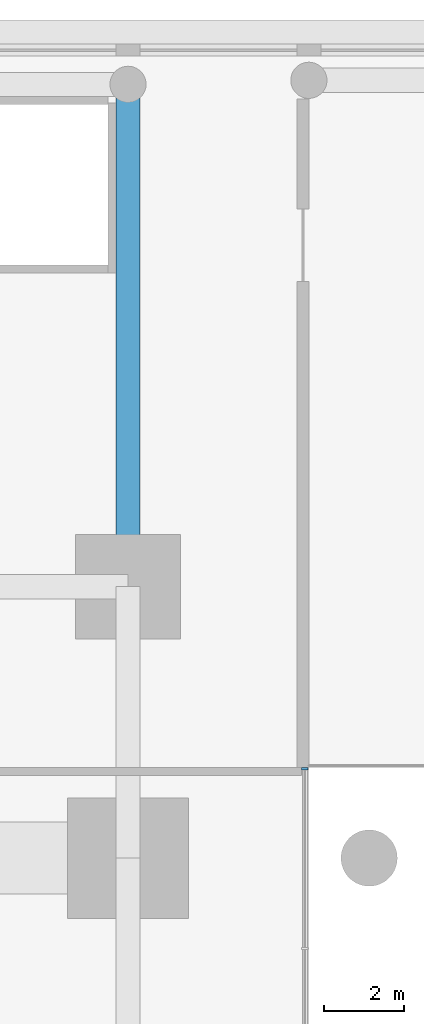
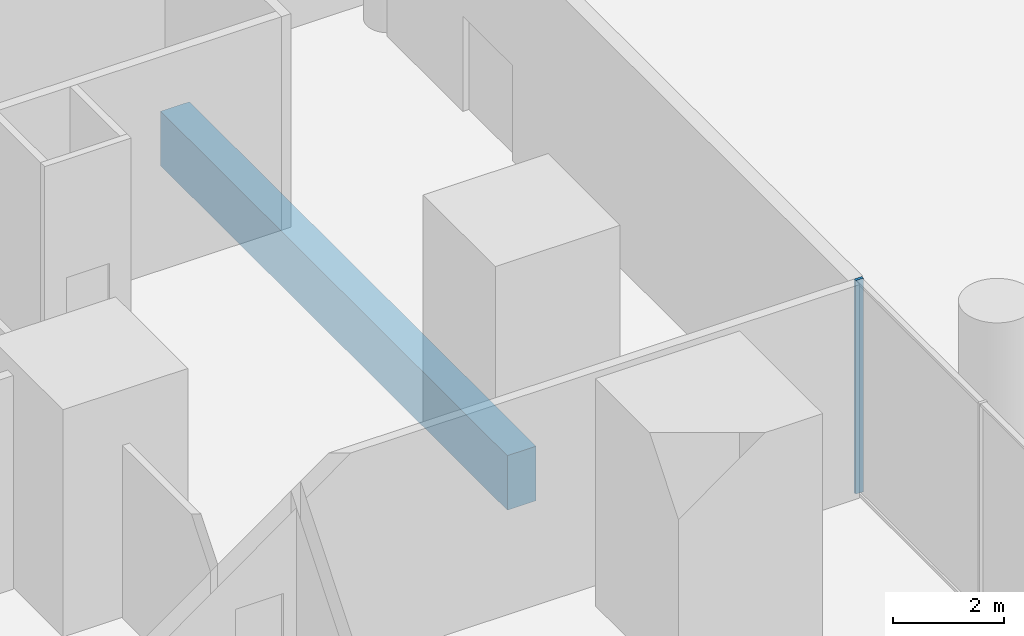
# One storey, part 5 of 20: 1 beam, 1 member, 1 element without a shape of its own.
"""IFC4 building model written with IfcOpenShell, lengths in metres."""

from ifc_helpers import new_model, si_unit, direction, frame, origin, origin_2d, place, context, subcontext, project, spatial, rectangle, extrude, material, layer, layer_set, material_profile, profile_set, type_object, element, aggregate, save


model = new_model("IFC4")

# Units and contexts
model_context = context("Model", 3, precision=1e-05, world=origin(), true_north=direction((0.0, 1.0)))
body_context = subcontext(model_context, "Body", "Model", "MODEL_VIEW")
ifc_project = project(units=[si_unit("LENGTHUNIT", "METRE"), si_unit("AREAUNIT", "SQUARE_METRE"), si_unit("VOLUMEUNIT", "CUBIC_METRE"), si_unit("PLANEANGLEUNIT", "RADIAN"), si_unit("MASSUNIT", "GRAM", prefix="KILO")], contexts=[model_context])

# Site, building, storey
site_placement = place(None, origin())
site = spatial("IfcSite", under=ifc_project, at=site_placement, CompositionType="ELEMENT")
building_placement = place(site_placement, origin())
building = spatial("IfcBuilding", under=site, at=building_placement, Name="Namib Vertical Campus", CompositionType="ELEMENT")
storey_placement = place(building_placement, frame((0.0, 0.0, 16.0)))
storey = spatial("IfcBuildingStorey", under=building, at=storey_placement, Name="L03", CompositionType="ELEMENT", Elevation=16.0)

# Curtain wall, member
ifc_material_1 = material(Name="Black aluminium curtain wall", Category="aluminium")
ifc_layer = layer(ifc_material_1, 0.199951171875)
ifc_layer_set = layer_set([ifc_layer], Name="Atrium screen curtain wall CW-AT")
curtain_wall_type = type_object("IfcCurtainWallType", Name="Atrium screen curtain wall CW-AT", PredefinedType="USERDEFINED", material=ifc_layer_set)
curtain_wall_placement = place(storey_placement, origin())
curtain_wall = element("IfcCurtainWall", 1, at=curtain_wall_placement, inside=storey, type_object=curtain_wall_type, Name="Curtain wall CW-AT atrium A L03 1", ObjectType="CURTAIN WALL", PredefinedType="USERDEFINED")
ifc_material_2 = material(Name="Black anodised aluminium", Category="aluminium")
ifc_material_profile_1 = material_profile(ifc_material_2, rectangle(XDim=0.06005859375, YDim=0.159912109375, at=origin_2d()))
ifc_profile_set_1 = profile_set([ifc_material_profile_1], Name="Black anodised aluminium")
member_type = type_object("IfcMemberType", Name="Curtain wall mullion 60x160", PredefinedType="MULLION", material=ifc_profile_set_1)
member_placement = place(storey_placement, frame((40.39990234375, 31.469970703125, 0.0), z_axis=(0.0, 0.0, 1.0), x_axis=(0.0, 1.0, 0.0)))
member = element("IfcMember", 2, at=member_placement, type_object=member_type, Name="CW-AT mullion 6", PredefinedType="MULLION", context=body_context, shape_type="SweptSolid", body=[
    extrude(rectangle(XDim=0.06005859375, YDim=0.159912109375, at=origin_2d()), origin(), (0.0, 0.0, 1.0), 4.699951171875),
])
aggregate(curtain_wall, [member])

# Beam
ifc_material_3 = material(Name="Concrete C40/50", Category="concrete")
ifc_material_profile_2 = material_profile(ifc_material_3, rectangle(XDim=0.60009765625, YDim=1.199951171875, at=origin_2d()))
ifc_profile_set_2 = profile_set([ifc_material_profile_2], Name="Concrete C40/50")
beam_type = type_object("IfcBeamType", Name="Long-span podium beam RC 600x1200", PredefinedType="BEAM", material=ifc_profile_set_2)
beam_placement = place(storey_placement, frame((36.0, 36.0, -0.89990234375), z_axis=(0.0, 1.0, 0.0), x_axis=(-1.0, 0.0, 0.0)))
element("IfcBeam", 3, at=beam_placement, inside=storey, type_object=beam_type, Name="Beam PB4 L03", PredefinedType="BEAM", context=body_context, shape_type="SweptSolid", body=[
    extrude(rectangle(XDim=0.60009765625, YDim=1.199951171875, at=origin_2d()), origin(), (0.0, 0.0, 1.0), 12.5),
])

save(model, "model.ifc")
